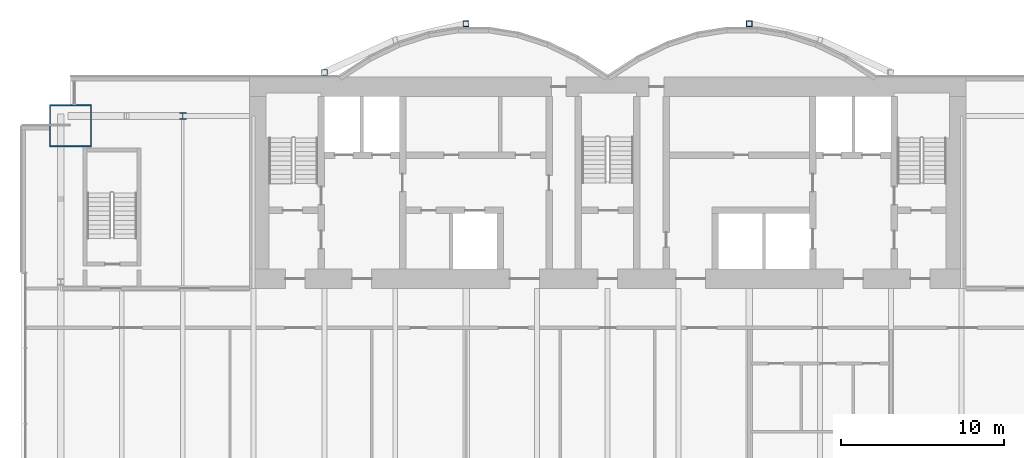
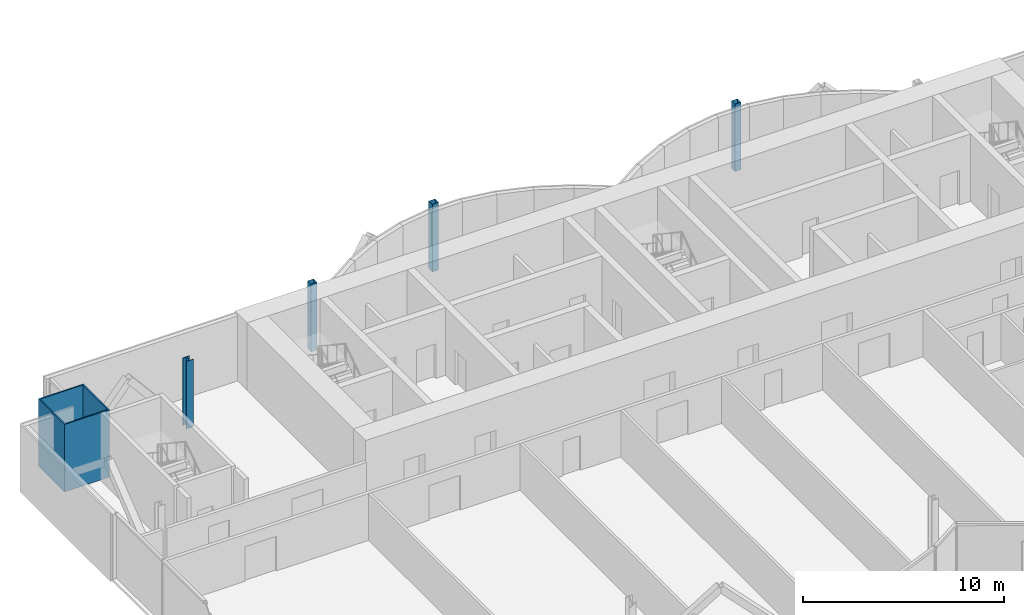
# One storey, part 3 of 20: 5 columns.
"""IFC4 building model written with IfcOpenShell, lengths in metres."""

from ifc_helpers import new_model, si_unit, direction, frame, origin, origin_2d, place, context, subcontext, project, spatial, hollow_rectangle, i_section, extrude, material, material_profile, profile_set, type_object, element, save


model = new_model("IFC4")

# Units and contexts
model_context = context("Model", 3, precision=1e-05, world=origin(), true_north=direction((0.0, 1.0)))
body_context = subcontext(model_context, "Body", "Model", "MODEL_VIEW")
ifc_project = project(units=[si_unit("LENGTHUNIT", "METRE"), si_unit("AREAUNIT", "SQUARE_METRE"), si_unit("VOLUMEUNIT", "CUBIC_METRE"), si_unit("PLANEANGLEUNIT", "RADIAN"), si_unit("MASSUNIT", "GRAM", prefix="KILO")], contexts=[model_context])

# Site, building, storey
site_placement = place(None, origin())
site = spatial("IfcSite", under=ifc_project, at=site_placement, CompositionType="ELEMENT")
building_placement = place(site_placement, origin())
building = spatial("IfcBuilding", under=site, at=building_placement, Name="Bicima Exchange Tower", CompositionType="ELEMENT")
storey_placement = place(building_placement, frame((0.0, 0.0, 177.300048828125)))
storey = spatial("IfcBuildingStorey", under=building, at=storey_placement, Name="L39", CompositionType="ELEMENT", Elevation=177.300048828125)

# Columns
ifc_material_1 = material(Name="Steel ASTM A572 Gr 50", Category="steel")
ifc_material_profile_1 = material_profile(ifc_material_1, hollow_rectangle(XDim=2.60009765625, YDim=2.60009765625, WallThickness=0.080078125, at=origin_2d()))
ifc_profile_set_1 = profile_set([ifc_material_profile_1], Name="Steel ASTM A572 Gr 50")
column_type_1 = type_object("IfcColumnType", Name="Mega column BOX 2600x2600x80", PredefinedType="COLUMN", material=ifc_profile_set_1)
column_1_placement = place(storey_placement, frame((-33.0, -3.0, 0.0), z_axis=(0.0, 0.0, 1.0), x_axis=(1.0, 0.0, 0.0)))
element("IfcColumn", 1, at=column_1_placement, inside=storey, type_object=column_type_1, Name="Mega column mega-33.0r", PredefinedType="COLUMN", context=body_context, shape_type="SweptSolid", body=[
    extrude(hollow_rectangle(XDim=2.60009765625, YDim=2.60009765625, WallThickness=0.080078125, at=origin_2d()), origin(), (0.0, 0.0, 1.0), 4.099853515625),
])
ifc_material_2 = material(Name="Steel ASTM A992 Gr 50", Category="steel")
ifc_material_profile_2 = material_profile(ifc_material_2, i_section(OverallWidth=0.396240234375, OverallDepth=0.381103515625, WebThickness=0.01904296875, FlangeThickness=0.0302734375, at=origin_2d()))
ifc_profile_set_2 = profile_set([ifc_material_profile_2], Name="Steel ASTM A992 Gr 50")
column_type_2 = type_object("IfcColumnType", Name="Perimeter column W14x159", PredefinedType="COLUMN", material=ifc_profile_set_2)
column_2_placement = place(storey_placement, frame((-26.10009765625, -2.39990234375, 0.0), z_axis=(0.0, 0.0, 1.0), x_axis=(1.0, 0.0, 0.0)))
element("IfcColumn", 2, at=column_2_placement, inside=storey, type_object=column_type_2, Name="Perimeter column grav-26.1r", PredefinedType="COLUMN", context=body_context, shape_type="SweptSolid", body=[
    extrude(i_section(OverallWidth=0.396240234375, OverallDepth=0.381103515625, WebThickness=0.01904296875, FlangeThickness=0.0302734375, at=origin_2d()), origin(), (0.0, 0.0, 1.0), 4.099853515625),
])
ifc_material_profile_3 = material_profile(ifc_material_1, hollow_rectangle(XDim=0.355712890625, YDim=0.355712890625, WallThickness=0.01171875, at=origin_2d()))
ifc_profile_set_3 = profile_set([ifc_material_profile_3], Name="Steel ASTM A572 Gr 50")
column_type_3 = type_object("IfcColumnType", Name="Rear pilaster HSS14x14x1/2", PredefinedType="COLUMN", material=ifc_profile_set_3)
for number, where, z_axis, x_axis, name in (
    (3, (-8.699951171875, 3.26904296875, 0.0), (0.0, 0.0, 1.0), (1.0, 0.0, 0.0), "Rear pilaster rexo-8.7r"),
    (4, (-17.39990234375, 0.278076171875, 0.0), (0.0, 0.0, 1.0), (1.0, 0.0, 0.0), "Rear pilaster rexo-17.4r"),
    (5, (8.699951171875, 3.26904296875, 0.0), (0.0, 0.0, 1.0), (1.0, 0.0, 0.0), "Rear pilaster rexo+8.7r"),
):
    element("IfcColumn", number, at=place(storey_placement, frame(where, z_axis=z_axis, x_axis=x_axis)), inside=storey, type_object=column_type_3, Name=name, PredefinedType="COLUMN", context=body_context, shape_type="SweptSolid", body=[
        extrude(hollow_rectangle(XDim=0.355712890625, YDim=0.355712890625, WallThickness=0.01171875, at=origin_2d()), origin(), (0.0, 0.0, 1.0), 4.099853515625),
    ])

save(model, "model.ifc")
